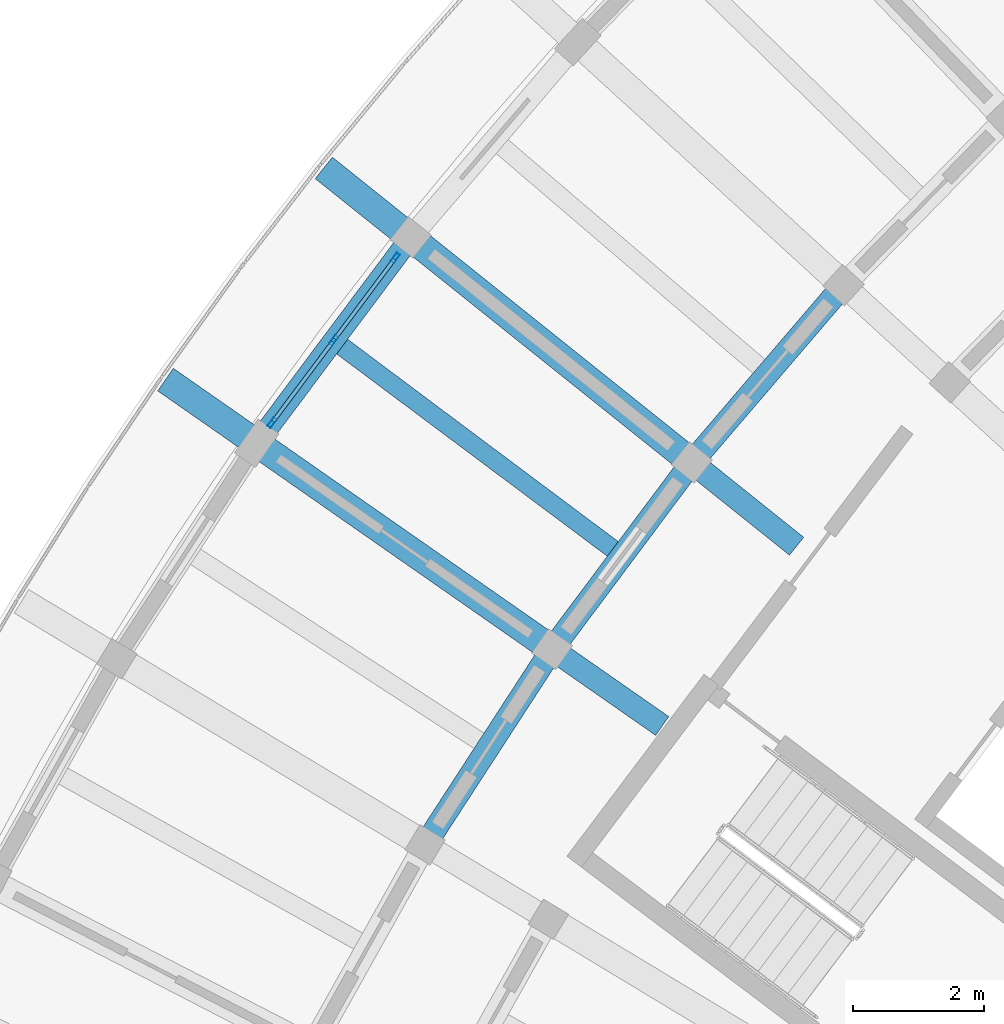
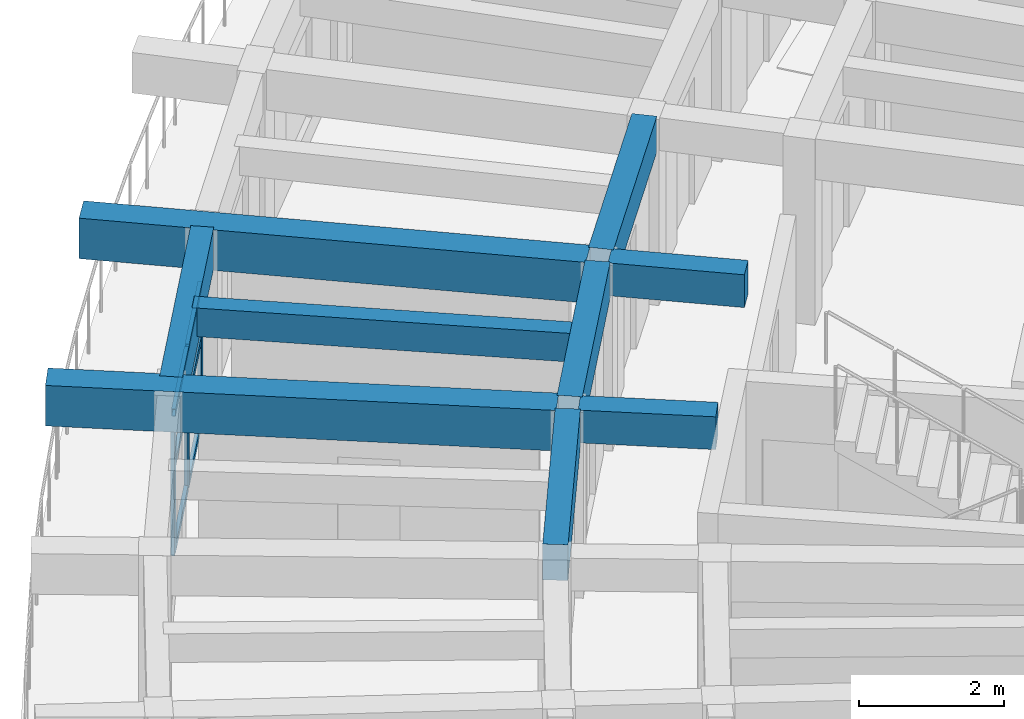
# One storey, part 3 of 32: 9 beams, 9 members, 1 element without a shape of its own.
"""IFC4 building model written with IfcOpenShell, lengths in metres."""

from ifc_helpers import new_model, si_unit, direction, frame, origin, origin_2d, place, context, subcontext, project, spatial, rectangle, hollow_rectangle, extrude, material, material_profile, profile_set, type_object, element, aggregate, save


model = new_model("IFC4")

# Units and contexts
model_context = context("Model", 3, precision=1e-05, world=origin(), true_north=direction((0.0, 1.0)))
body_context = subcontext(model_context, "Body", "Model", "MODEL_VIEW")
ifc_project = project(units=[si_unit("LENGTHUNIT", "METRE"), si_unit("AREAUNIT", "SQUARE_METRE"), si_unit("VOLUMEUNIT", "CUBIC_METRE"), si_unit("PLANEANGLEUNIT", "RADIAN"), si_unit("MASSUNIT", "GRAM", prefix="KILO")], contexts=[model_context])

# Site, building, storey
site_placement = place(None, origin())
site = spatial("IfcSite", under=ifc_project, at=site_placement, CompositionType="ELEMENT")
building_placement = place(site_placement, origin())
building = spatial("IfcBuilding", under=site, at=building_placement, Name="Tanwirah Colonnade Gardens", CompositionType="ELEMENT")
storey_placement = place(building_placement, frame((0.0, 0.0, 42.43994140625)))
storey = spatial("IfcBuildingStorey", under=building, at=storey_placement, Name="L12", CompositionType="ELEMENT", Elevation=42.43994140625)

# Beams
ifc_material_1 = material(Name="Precast concrete C40/50", Category="concrete")
ifc_material_profile_1 = material_profile(ifc_material_1, rectangle(XDim=0.35009765625, YDim=0.550048828125, at=origin_2d()), Name="PC-BM 350x550")
ifc_profile_set_1 = profile_set([ifc_material_profile_1], Name="Precast concrete C40/50")
beam_type_1 = type_object("IfcBeamType", Name="BM-PC350A", PredefinedType="BEAM", material=ifc_profile_set_1)
for number, where, z_axis, x_axis, name in (
    (1, (24.398681640625, 92.68896484375, 2.844970703125), (-0.78073089418, 0.624867402633, 0.0), (-0.624867402633, -0.78073089418, 0.0), "Block A L12 Corridor Tie Beam 12"),
    (2, (22.346435546875, 89.943359375, 2.844970703125), (-0.820305001782, 0.571926309983, 0.0), (-0.571926309983, -0.820305001782, 0.0), "Block A L12 Corridor Tie Beam 13"),
):
    element("IfcBeam", number, at=place(storey_placement, frame(where, z_axis=z_axis, x_axis=x_axis)), inside=storey, type_object=beam_type_1, Name=name, PredefinedType="BEAM", context=body_context, shape_type="SweptSolid", body=[
        extrude(rectangle(XDim=0.35009765625, YDim=0.550048828125, at=origin_2d()), origin(), (0.0, 0.0, 1.0), 1.89990234375),
    ])
ifc_material_profile_2 = material_profile(ifc_material_1, rectangle(XDim=0.35009765625, YDim=0.60009765625, at=origin_2d()), Name="PC-BM 350x600")
ifc_profile_set_2 = profile_set([ifc_material_profile_2], Name="Precast concrete C40/50")
beam_type_2 = type_object("IfcBeamType", Name="BM-PC350B", PredefinedType="BEAM", material=ifc_profile_set_2)
beam_1_placement = place(storey_placement, frame((25.017333984375, 96.56298828125, 2.820068359375), z_axis=(-0.650218192342, -0.759747525398, 0.0), x_axis=(0.759747525398, -0.650218192342, 0.0)))
element("IfcBeam", 3, at=beam_1_placement, inside=storey, type_object=beam_type_2, Name="Block A L12 Circumferential Beam 11-R2", PredefinedType="BEAM", context=body_context, shape_type="SweptSolid", body=[
    extrude(rectangle(XDim=0.35009765625, YDim=0.60009765625, at=origin_2d()), origin(), (0.0, 0.0, 1.0), 3.26318359375),
])
for number, where, z_axis, x_axis, name in (
    (4, (22.708251953125, 93.849609375, 2.820068359375), (-0.59871829396, -0.800959677186, 0.0), (0.800959677186, -0.59871829396, 0.0), "Block A L12 Circumferential Beam 12-R2"),
    (5, (20.5830078125, 90.989990234375, 2.820068359375), (-0.544627998385, -0.838677735114, 0.0), (0.838677735114, -0.544627998385, 0.0), "Block A L12 Circumferential Beam 13-R2"),
):
    element("IfcBeam", number, at=place(storey_placement, frame(where, z_axis=z_axis, x_axis=x_axis)), inside=storey, type_object=beam_type_2, Name=name, PredefinedType="BEAM", context=body_context, shape_type="SweptSolid", body=[
        extrude(rectangle(XDim=0.35009765625, YDim=0.60009765625, at=origin_2d()), origin(), (0.0, 0.0, 1.0), 3.262939453125),
    ])
ifc_material_2 = material(Name="Precast concrete C45/55", Category="concrete")
ifc_material_profile_3 = material_profile(ifc_material_2, rectangle(XDim=0.419921875, YDim=0.679931640625, at=origin_2d()), Name="PC-BM 420x680")
ifc_profile_set_3 = profile_set([ifc_material_profile_3], Name="Precast concrete C45/55")
beam_type_3 = type_object("IfcBeamType", Name="BM-PC420", PredefinedType="BEAM", material=ifc_profile_set_3)
for number, where, z_axis, x_axis, name in (
    (6, (22.680908203125, 94.0634765625, 2.780029296875), (-0.780794476885, 0.624787951921, 0.0), (-0.624787951921, -0.780794476885, 0.0), "Block A L12 Outer Radial Precast Girder 12"),
    (7, (20.541748046875, 91.20166015625, 2.780029296875), (-0.820270158139, 0.571976282433, 0.0), (-0.571976282433, -0.820270158139, 0.0), "Block A L12 Outer Radial Precast Girder 13"),
):
    element("IfcBeam", number, at=place(storey_placement, frame(where, z_axis=z_axis, x_axis=x_axis)), inside=storey, type_object=beam_type_3, Name=name, PredefinedType="BEAM", context=body_context, shape_type="SweptSolid", body=[
        extrude(rectangle(XDim=0.419921875, YDim=0.679931640625, at=origin_2d()), origin(), (0.0, 0.0, 1.0), 7.050048828125),
    ])

# Curtain wall, members
ifc_material_3 = material(Name="Bronze-anodised aluminium and solar-control low-E glass", Category="aluminium")
curtain_wall_type = type_object("IfcCurtainWallType", Name="CW-LOB", PredefinedType="NOTDEFINED", material=ifc_material_3)
curtain_wall_placement = place(storey_placement, origin())
curtain_wall = element("IfcCurtainWall", 8, at=curtain_wall_placement, inside=storey, type_object=curtain_wall_type, Name="Curtain Wall CW-A-L12-OUT-12", PredefinedType="NOTDEFINED")
ifc_material_4 = material(Name="Bronze-anodised aluminium", Category="aluminium")
ifc_material_profile_4 = material_profile(ifc_material_4, hollow_rectangle(XDim=0.06005859375, YDim=0.159912109375, WallThickness=0.00390625, at=origin_2d()), Name="CW-MUL 60x160x4")
ifc_profile_set_4 = profile_set([ifc_material_profile_4], Name="Bronze-anodised aluminium")
member_type_1 = type_object("IfcMemberType", Name="CWM-60x160", PredefinedType="MULLION", material=ifc_profile_set_4)
member_1_placement = place(storey_placement, frame((18.270263671875, 97.09375, 0.0), z_axis=(0.0, 0.0, 1.0), x_axis=(0.800962874439, -0.598714016682, 0.0)))
member_1 = element("IfcMember", 9, at=member_1_placement, type_object=member_type_1, Name="CW-LOB mullion 1", PredefinedType="MULLION", context=body_context, shape_type="SweptSolid", body=[
    extrude(hollow_rectangle(XDim=0.06005859375, YDim=0.159912109375, WallThickness=0.00390625, at=origin_2d()), origin(), (0.0, 0.0, 1.0), 2.35498046875),
])
member_2_placement = place(storey_placement, frame((17.32861328125, 95.833984375, 0.0), z_axis=(0.0, 0.0, 1.0), x_axis=(0.800962874439, -0.598714016682, 0.0)))
member_2 = element("IfcMember", 10, at=member_2_placement, type_object=member_type_1, Name="CW-LOB mullion 2", PredefinedType="MULLION", context=body_context, shape_type="SweptSolid", body=[
    extrude(hollow_rectangle(XDim=0.06005859375, YDim=0.159912109375, WallThickness=0.00390625, at=origin_2d()), origin(), (0.0, 0.0, 1.0), 2.35498046875),
])
member_3_placement = place(storey_placement, frame((16.386962890625, 94.57421875, 0.0), z_axis=(0.0, 0.0, 1.0), x_axis=(0.800962874439, -0.598714016682, 0.0)))
member_3 = element("IfcMember", 11, at=member_3_placement, type_object=member_type_1, Name="CW-LOB mullion 3", PredefinedType="MULLION", context=body_context, shape_type="SweptSolid", body=[
    extrude(hollow_rectangle(XDim=0.06005859375, YDim=0.159912109375, WallThickness=0.00390625, at=origin_2d()), origin(), (0.0, 0.0, 1.0), 2.35498046875),
])
ifc_material_profile_5 = material_profile(ifc_material_4, hollow_rectangle(XDim=0.06005859375, YDim=0.1201171875, WallThickness=0.00390625, at=origin_2d()), Name="CW-TRN 60x120x4")
ifc_profile_set_5 = profile_set([ifc_material_profile_5], Name="Bronze-anodised aluminium")
member_type_2 = type_object("IfcMemberType", Name="CWT-60x120", PredefinedType="USERDEFINED", material=ifc_profile_set_5)
member_4_placement = place(storey_placement, frame((18.252197265625, 97.06982421875, 0.030029296875), z_axis=(-0.598656615216, -0.801005778418, 0.0), x_axis=(0.801005778418, -0.598656615216, 0.0)))
member_4 = element("IfcMember", 12, at=member_4_placement, type_object=member_type_2, Name="CW-LOB transom 1.1", ObjectType="TRANSOM", PredefinedType="USERDEFINED", context=body_context, shape_type="SweptSolid", body=[
    extrude(hollow_rectangle(XDim=0.06005859375, YDim=0.1201171875, WallThickness=0.00390625, at=origin_2d()), origin(), (0.0, 0.0, 1.0), 1.512939453125),
])
member_5_placement = place(storey_placement, frame((18.252197265625, 97.06982421875, 1.460205078125), z_axis=(-0.598656615216, -0.801005778418, 0.0), x_axis=(0.801005778418, -0.598656615216, 0.0)))
member_5 = element("IfcMember", 13, at=member_5_placement, type_object=member_type_2, Name="CW-LOB transom 1.2", ObjectType="TRANSOM", PredefinedType="USERDEFINED", context=body_context, shape_type="SweptSolid", body=[
    extrude(hollow_rectangle(XDim=0.06005859375, YDim=0.1201171875, WallThickness=0.00390625, at=origin_2d()), origin(), (0.0, 0.0, 1.0), 1.512939453125),
])
member_6_placement = place(storey_placement, frame((18.252197265625, 97.06982421875, 2.324951171875), z_axis=(-0.598656615216, -0.801005778418, 0.0), x_axis=(0.801005778418, -0.598656615216, 0.0)))
member_6 = element("IfcMember", 14, at=member_6_placement, type_object=member_type_2, Name="CW-LOB transom 1.3", ObjectType="TRANSOM", PredefinedType="USERDEFINED", context=body_context, shape_type="SweptSolid", body=[
    extrude(hollow_rectangle(XDim=0.06005859375, YDim=0.1201171875, WallThickness=0.00390625, at=origin_2d()), origin(), (0.0, 0.0, 1.0), 1.512939453125),
])
member_7_placement = place(storey_placement, frame((17.310546875, 95.81005859375, 0.030029296875), z_axis=(-0.598656615216, -0.801005778418, 0.0), x_axis=(0.801005778418, -0.598656615216, 0.0)))
member_7 = element("IfcMember", 15, at=member_7_placement, type_object=member_type_2, Name="CW-LOB transom 2.1", ObjectType="TRANSOM", PredefinedType="USERDEFINED", context=body_context, shape_type="SweptSolid", body=[
    extrude(hollow_rectangle(XDim=0.06005859375, YDim=0.1201171875, WallThickness=0.00390625, at=origin_2d()), origin(), (0.0, 0.0, 1.0), 1.512939453125),
])
member_8_placement = place(storey_placement, frame((17.310546875, 95.81005859375, 1.460205078125), z_axis=(-0.598656615216, -0.801005778418, 0.0), x_axis=(0.801005778418, -0.598656615216, 0.0)))
member_8 = element("IfcMember", 16, at=member_8_placement, type_object=member_type_2, Name="CW-LOB transom 2.2", ObjectType="TRANSOM", PredefinedType="USERDEFINED", context=body_context, shape_type="SweptSolid", body=[
    extrude(hollow_rectangle(XDim=0.06005859375, YDim=0.1201171875, WallThickness=0.00390625, at=origin_2d()), origin(), (0.0, 0.0, 1.0), 1.512939453125),
])
member_9_placement = place(storey_placement, frame((17.310546875, 95.81005859375, 2.324951171875), z_axis=(-0.598656615216, -0.801005778418, 0.0), x_axis=(0.801005778418, -0.598656615216, 0.0)))
member_9 = element("IfcMember", 17, at=member_9_placement, type_object=member_type_2, Name="CW-LOB transom 2.3", ObjectType="TRANSOM", PredefinedType="USERDEFINED", context=body_context, shape_type="SweptSolid", body=[
    extrude(hollow_rectangle(XDim=0.06005859375, YDim=0.1201171875, WallThickness=0.00390625, at=origin_2d()), origin(), (0.0, 0.0, 1.0), 1.512939453125),
])
aggregate(curtain_wall, [member_1, member_2, member_3, member_4, member_5, member_6, member_7, member_8, member_9])

# Beams
ifc_material_profile_6 = material_profile(ifc_material_1, rectangle(XDim=0.280029296875, YDim=0.47998046875, at=origin_2d()), Name="PC-JST 280x480")
ifc_profile_set_6 = profile_set([ifc_material_profile_6], Name="Precast concrete C40/50")
beam_type_4 = type_object("IfcBeamType", Name="JST-PC280", PredefinedType="JOIST", material=ifc_profile_set_6)
beam_2_placement = place(storey_placement, frame((21.61181640625, 92.63232421875, 2.880126953125), z_axis=(-0.800973647215, 0.598699604533, 0.0), x_axis=(-0.598699604533, -0.800973647215, 0.0)))
element("IfcBeam", 18, at=beam_2_placement, inside=storey, type_object=beam_type_4, Name="Block A L12 Precast Floor Joist 12", PredefinedType="JOIST", context=body_context, shape_type="SweptSolid", body=[
    extrude(rectangle(XDim=0.280029296875, YDim=0.47998046875, at=origin_2d()), origin(), (0.0, 0.0, 1.0), 5.260009765625),
])
ifc_material_profile_7 = material_profile(ifc_material_2, rectangle(XDim=0.320068359375, YDim=0.679931640625, at=origin_2d()), Name="PC-SP 320x680")
ifc_profile_set_7 = profile_set([ifc_material_profile_7], Name="Precast concrete C45/55")
beam_type_5 = type_object("IfcBeamType", Name="SP-PC320", PredefinedType="SPANDREL", material=ifc_profile_set_7)
beam_3_placement = place(storey_placement, frame((18.413818359375, 97.285888671875, 2.780029296875), z_axis=(-0.598695554058, -0.800976674786, 0.0), x_axis=(0.800976674786, -0.598695554058, 0.0)))
element("IfcBeam", 19, at=beam_3_placement, inside=storey, type_object=beam_type_5, Name="Block A L12 Circumferential Beam 12-R3", PredefinedType="SPANDREL", context=body_context, shape_type="SweptSolid", body=[
    extrude(rectangle(XDim=0.320068359375, YDim=0.679931640625, at=origin_2d()), origin(), (0.0, 0.0, 1.0), 3.625732421875),
])

save(model, "model.ifc")
